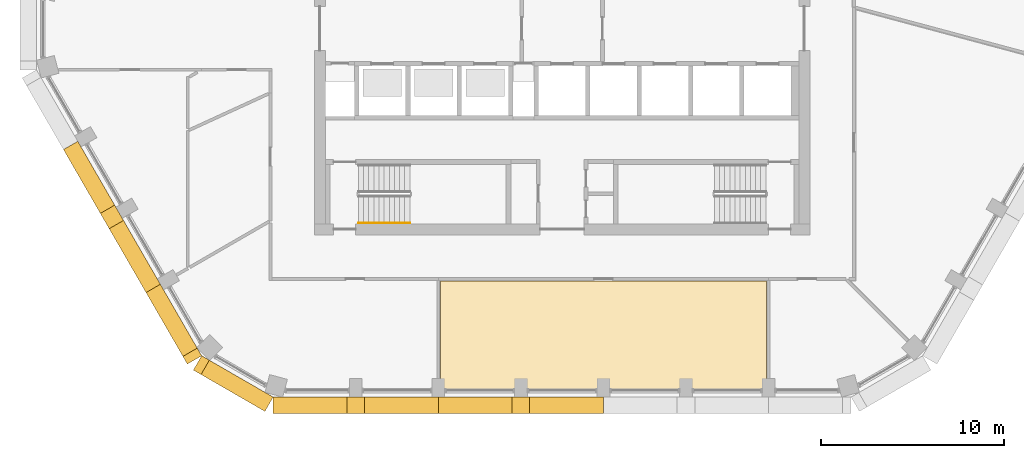
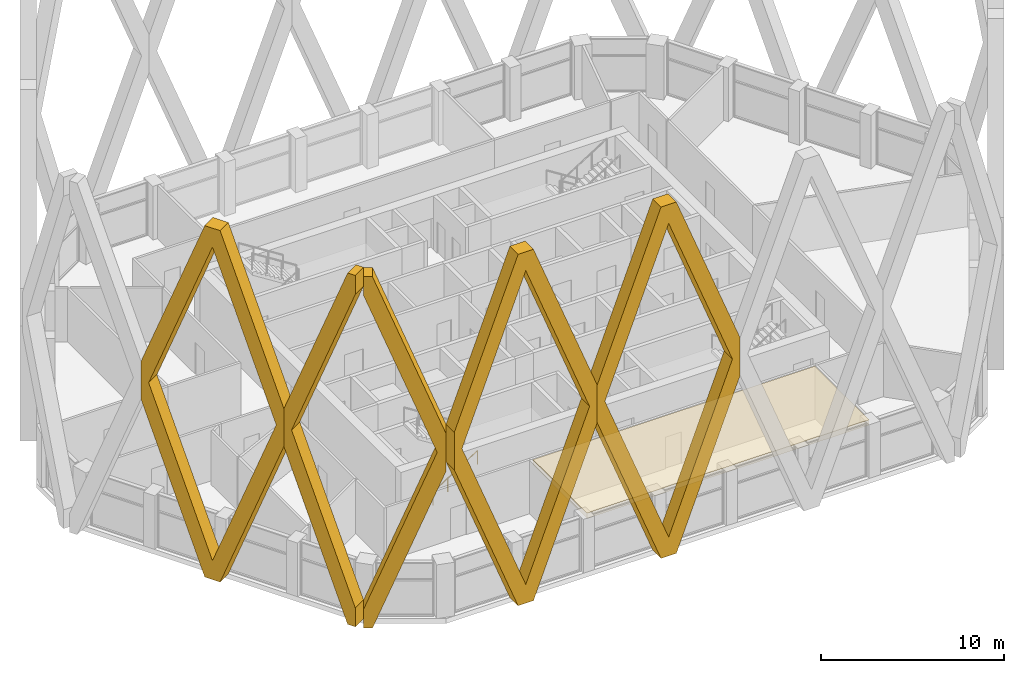
# One storey, part 13 of 20: 6 coverings, 1 railing.
"""IFC4 building model written with IfcOpenShell, lengths in metres."""

from ifc_helpers import new_model, si_unit, direction, frame, origin, origin_2d, place, context, subcontext, project, spatial, polyline, circle, outline, extrude, material, layer, layer_set, type_object, element, save


model = new_model("IFC4")

# Units and contexts
model_context = context("Model", 3, precision=1e-05, world=origin(), true_north=direction((0.0, 1.0)))
body_context = subcontext(model_context, "Body", "Model", "MODEL_VIEW")
ifc_project = project(units=[si_unit("LENGTHUNIT", "METRE"), si_unit("AREAUNIT", "SQUARE_METRE"), si_unit("VOLUMEUNIT", "CUBIC_METRE"), si_unit("PLANEANGLEUNIT", "RADIAN"), si_unit("MASSUNIT", "GRAM", prefix="KILO")], contexts=[model_context])

# Site, building, storey
site_placement = place(None, origin())
site = spatial("IfcSite", under=ifc_project, at=site_placement, CompositionType="ELEMENT")
building_placement = place(site_placement, origin())
building = spatial("IfcBuilding", under=site, at=building_placement, Name="Dhurran Vertical Campus", CompositionType="ELEMENT")
storey_placement = place(building_placement, frame((0.0, 0.0, 235.199951171875)))
storey = spatial("IfcBuildingStorey", under=building, at=storey_placement, Name="L58", CompositionType="ELEMENT", Elevation=235.199951171875)

# Coverings
ifc_material_1 = material(Name="Precast concrete C50/60", Category="concrete")
covering_type_1 = type_object("IfcCoveringType", Name="Folded precast fin lattice diamond", PredefinedType="USERDEFINED", material=ifc_material_1)
for number, where, z_axis, x_axis, name in (
    (1, (-15.75, -20.08837890625, 0.0), (0.0, -1.0, 0.0), (1.0, 0.0, 0.0), "FN1 L58.001"),
    (2, (-6.75, -20.08837890625, 0.0), (0.0, -1.0, 0.0), (1.0, 0.0, 0.0), "FN1 L58.002"),
):
    element("IfcCovering", number, at=place(storey_placement, frame(where, z_axis=z_axis, x_axis=x_axis)), inside=storey, type_object=covering_type_1, Name=name, ObjectType="FIN", PredefinedType="USERDEFINED", context=body_context, shape_type="SweptSolid", body=[
        extrude(outline(polyline([(9.0, 12.95361328125), (9.0, 10.4462890625), (4.982177734375, 0.0), (4.017822265625, 0.0), (0.0, 10.4462890625), (0.0, 12.95361328125), (4.017822265625, 23.39990234375), (4.982177734375, 23.39990234375), (9.0, 12.95361328125)]), holes=[polyline([(8.517822265625, 11.699951171875), (4.5, 22.146484375), (0.482177734375, 11.699951171875), (4.5, 1.253662109375), (8.517822265625, 11.699951171875)])]), origin(), (0.0, 0.0, 1.0), 0.900146484375),
    ])
covering_1_placement = place(storey_placement, frame((-26.397216796875, -6.147216796875, 0.0), z_axis=(-0.866013897511, -0.50001992892, 0.0), x_axis=(0.50001992892, -0.866013897511, 0.0)))
element("IfcCovering", 3, at=covering_1_placement, inside=storey, type_object=covering_type_1, Name="FN1 L58.022", ObjectType="FIN", PredefinedType="USERDEFINED", context=body_context, shape_type="SweptSolid", body=[
    extrude(outline(polyline([(9.0, 12.95361328125), (9.0, 10.4462890625), (4.982177734375, 0.0), (4.017822265625, 0.0), (0.0, 10.4462890625), (0.0, 12.95361328125), (4.017822265625, 23.39990234375), (4.982177734375, 23.39990234375), (9.0, 12.95361328125)]), holes=[polyline([(8.517822265625, 11.699951171875), (4.5, 22.146484375), (0.482177734375, 11.699951171875), (4.5, 1.253662109375), (8.517822265625, 11.699951171875)])]), origin(), (0.0, 0.0, 1.0), 0.89990234375),
])
covering_2_placement = place(storey_placement, frame((-21.897216796875, -13.94140625, 0.0), z_axis=(-0.866013897511, -0.50001992892, 0.0), x_axis=(0.50001992892, -0.866013897511, 0.0)))
element("IfcCovering", 4, at=covering_2_placement, inside=storey, type_object=covering_type_1, Name="FN1 L58.023", ObjectType="FIN", PredefinedType="USERDEFINED", context=body_context, shape_type="SweptSolid", body=[
    extrude(outline(polyline([(4.017822265625, 0.0), (0.0, 10.4462890625), (0.0, 12.95361328125), (4.017822265625, 23.39990234375), (4.5, 23.39990234375), (4.5, 22.146484375), (0.482177734375, 11.699951171875), (4.5, 1.253662109375), (4.5, 0.0), (4.017822265625, 0.0)])), origin(), (0.0, 0.0, 1.0), 0.89990234375),
])
covering_3_placement = place(storey_placement, frame((-19.647216796875, -17.83837890625, 0.0), z_axis=(-0.499902469156, -0.866081705922, 0.0), x_axis=(0.866081705922, -0.499902469156, 0.0)))
element("IfcCovering", 5, at=covering_3_placement, inside=storey, type_object=covering_type_1, Name="FN1 L58.024", ObjectType="FIN", PredefinedType="USERDEFINED", context=body_context, shape_type="SweptSolid", body=[
    extrude(outline(polyline([(4.5, 10.4462890625), (0.482177734375, 0.0), (0.0, 0.0), (0.0, 1.253662109375), (4.017822265625, 11.699951171875), (0.0, 22.146484375), (0.0, 23.39990234375), (0.482177734375, 23.39990234375), (4.5, 12.95361328125), (4.5, 10.4462890625)])), origin(), (0.0, 0.0, 1.0), 0.900146484375),
])

# Railing
ifc_material_2 = material(Name="Stainless steel handrail", Category="steel")
railing_type = type_object("IfcRailingType", Name="co-RL-HANDRAIL-900", PredefinedType="HANDRAIL", material=ifc_material_2)
railing_placement = place(storey_placement, frame((-11.10009765625, -10.60009765625, 0.17724609375)))
element("IfcRailing", 6, at=railing_placement, inside=storey, type_object=railing_type, Name="L58 ST3 stair handrail 1", PredefinedType="HANDRAIL", context=body_context, shape_type="SweptSolid", body=[
    extrude(circle(Radius=0.02392578125, at=origin_2d()), frame((0.0, 0.0, 0.8759765625), z_axis=(0.844908973607, 0.0, 0.534910110503), x_axis=(0.0, 1.0, 0.0)), (0.0, 0.0, 1.0), 3.31396484375),
    extrude(circle(Radius=0.02099609375, at=origin_2d()), origin(), (0.0, 0.0, 1.0), 0.851806640625),
    extrude(circle(Radius=0.02099609375, at=origin_2d()), frame((0.933349609375, 0.0, 0.5908203125)), (0.0, 0.0, 1.0), 0.851806640625),
    extrude(circle(Radius=0.02099609375, at=origin_2d()), frame((1.86669921875, 0.0, 1.181884765625)), (0.0, 0.0, 1.0), 0.851806640625),
    extrude(circle(Radius=0.02099609375, at=origin_2d()), frame((2.800048828125, 0.0, 1.772705078125)), (0.0, 0.0, 1.0), 0.851806640625),
])

# Covering
ifc_material_3 = material(Name="Mineral fibre ceiling tiles on suspended grid")
ifc_layer = layer(ifc_material_3, 0.35009765625)
ifc_layer_set = layer_set([ifc_layer], Name="Mineral fibre ceiling tiles on suspended grid")
covering_type_2 = type_object("IfcCoveringType", Name="fl-CE-350 suspended ceiling", PredefinedType="CEILING", material=ifc_layer_set)
covering_4_placement = place(storey_placement, frame((0.0, 0.0, 3.22509765625)))
element("IfcCovering", 7, at=covering_4_placement, inside=storey, type_object=covering_type_2, Name="Ceiling 58-10", PredefinedType="CEILING", context=body_context, shape_type="SweptSolid", body=[
    extrude(outline(polyline([(11.1298828125, -19.66796875), (-6.6298828125, -19.66796875), (-6.6298828125, -13.77001953125), (11.1298828125, -13.77001953125), (11.1298828125, -19.66796875)])), origin(), (0.0, 0.0, 1.0), 0.349853515625),
])

save(model, "model.ifc")
